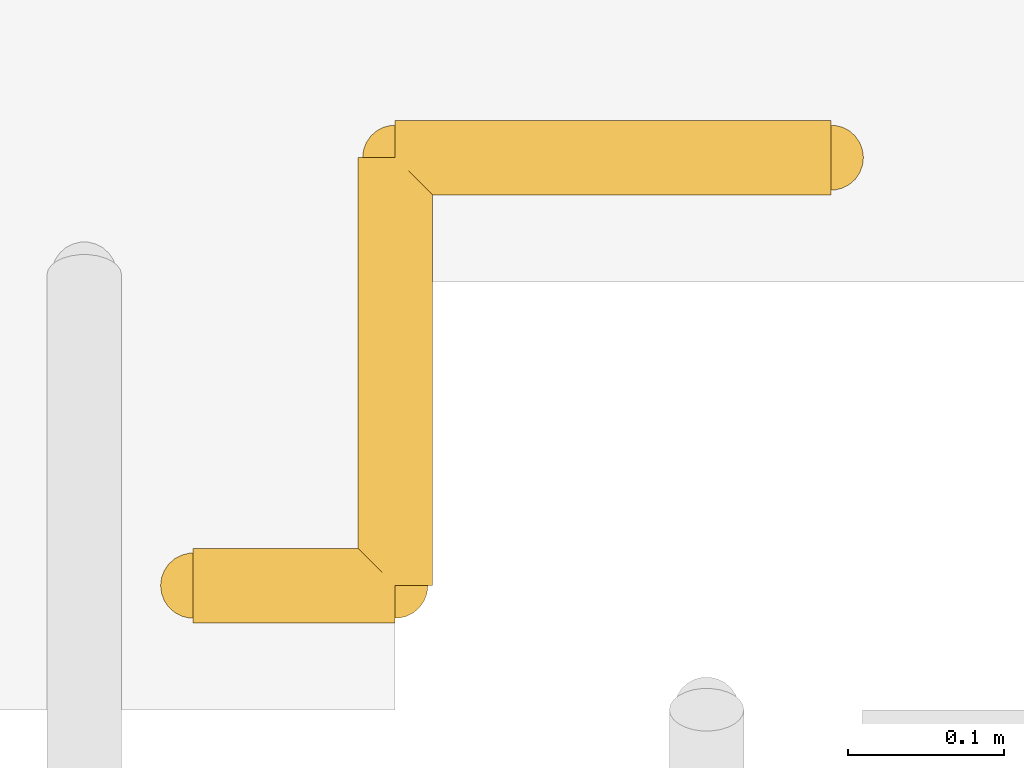
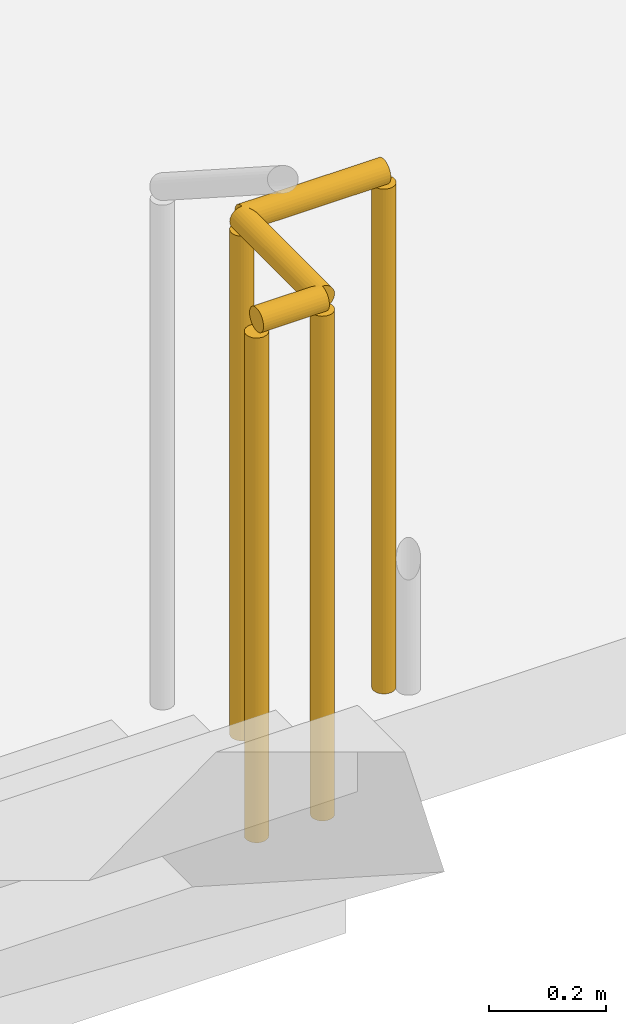
# One storey, part 30 of 30: 1 railing.
"""IFC4 building model written with IfcOpenShell, lengths in metres."""

from ifc_helpers import new_model, si_unit, direction, frame, origin, origin_2d, place, context, subcontext, project, spatial, circle, extrude, material, type_object, element, save


model = new_model("IFC4")

# Units and contexts
model_context = context("Model", 3, precision=1e-05, world=origin(), true_north=direction((0.0, 1.0)))
body_context = subcontext(model_context, "Body", "Model", "MODEL_VIEW")
ifc_project = project(units=[si_unit("LENGTHUNIT", "METRE"), si_unit("AREAUNIT", "SQUARE_METRE"), si_unit("VOLUMEUNIT", "CUBIC_METRE"), si_unit("PLANEANGLEUNIT", "RADIAN"), si_unit("MASSUNIT", "GRAM", prefix="KILO")], contexts=[model_context])

# Site, building, storey
site_placement = place(None, origin())
site = spatial("IfcSite", under=ifc_project, at=site_placement, CompositionType="ELEMENT")
building_placement = place(site_placement, origin())
building = spatial("IfcBuilding", under=site, at=building_placement, Name="Claustro Exchange Tower", CompositionType="ELEMENT")
storey_placement = place(building_placement, frame((0.0, 0.0, 5.39990234375)))
storey = spatial("IfcBuildingStorey", under=building, at=storey_placement, Name="L01", CompositionType="ELEMENT", Elevation=5.39990234375)

# Railing
ifc_material = material(Name="Steel balustrade, painted", Category="steel")
railing_type = type_object("IfcRailingType", Name="GR2 1100 steel stair guard", PredefinedType="GUARDRAIL", material=ifc_material)
railing_placement = place(storey_placement, frame((46.52001953125, 57.179931640625, 0.0)))
element("IfcRailing", 1, at=railing_placement, inside=storey, type_object=railing_type, Name="Stair guard GR2 STP4 L01", PredefinedType="GUARDRAIL", context=body_context, shape_type="SweptSolid", body=[
    extrude(circle(Radius=0.02392578125, at=origin_2d()), frame((0.0, 0.0, 1.076171875), z_axis=(1.0, 0.0, 0.0), x_axis=(0.0, 1.0, 0.0)), (0.0, 0.0, 1.0), 0.1298828125),
    extrude(circle(Radius=0.02392578125, at=origin_2d()), frame((0.1298828125, 0.0, 1.076171875), z_axis=(0.0, 1.0, 0.0), x_axis=(-1.0, 0.0, 0.0)), (0.0, 0.0, 1.0), 0.275146484375),
    extrude(circle(Radius=0.02392578125, at=origin_2d()), frame((0.1298828125, 0.275146484375, 1.076171875), z_axis=(1.0, 0.0, 0.0), x_axis=(0.0, 1.0, 0.0)), (0.0, 0.0, 1.0), 0.280029296875),
    extrude(circle(Radius=0.02099609375, at=origin_2d()), origin(), (0.0, 0.0, 1.0), 1.052001953125),
    extrude(circle(Radius=0.02099609375, at=origin_2d()), frame((0.1298828125, 0.0, 0.0)), (0.0, 0.0, 1.0), 1.052001953125),
    extrude(circle(Radius=0.02099609375, at=origin_2d()), frame((0.1298828125, 0.275146484375, 0.0)), (0.0, 0.0, 1.0), 1.052001953125),
    extrude(circle(Radius=0.02099609375, at=origin_2d()), frame((0.409912109375, 0.275146484375, 0.0)), (0.0, 0.0, 1.0), 1.052001953125),
])

save(model, "model.ifc")
